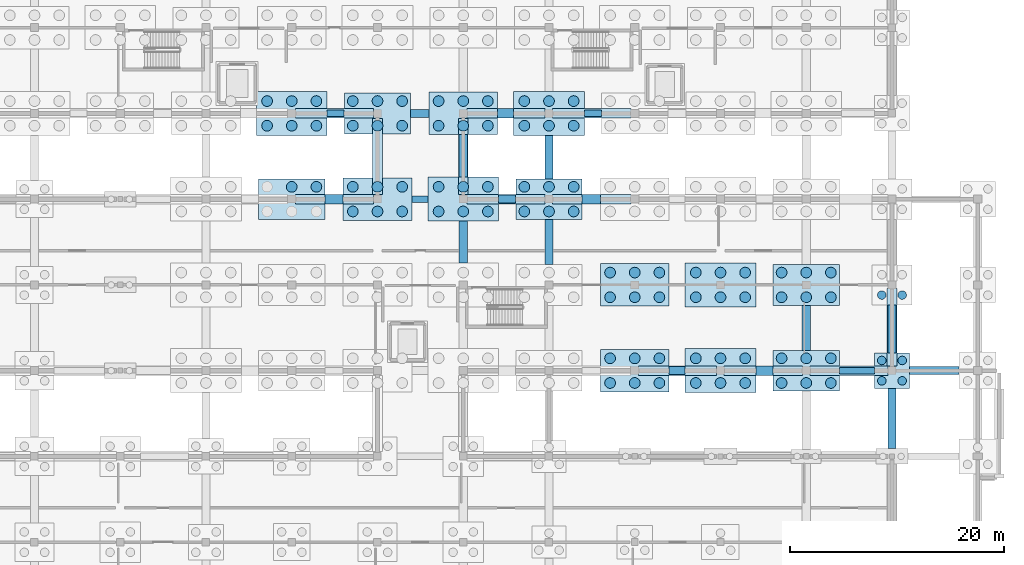
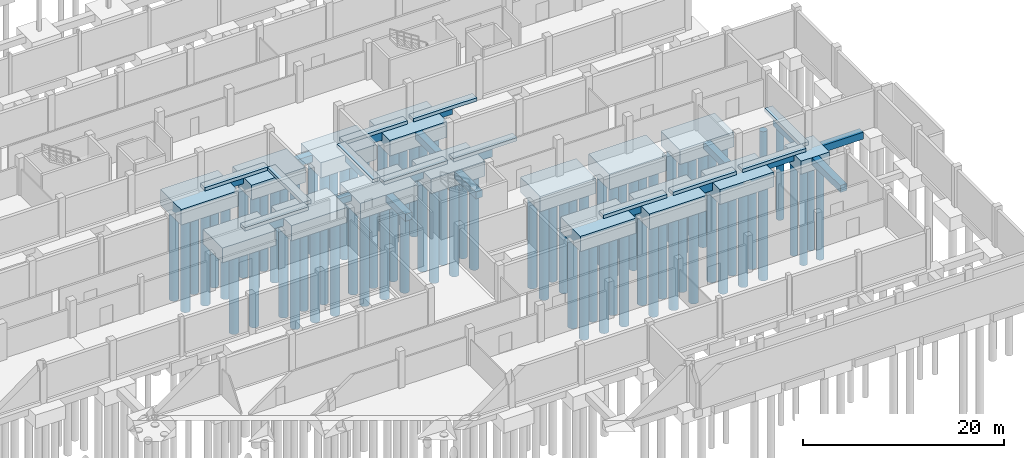
# One storey, part 13 of 51: 86 piles, 46 footings.
"""IFC4 building model written with IfcOpenShell, lengths in metres."""

import ifcopenshell
import ifcopenshell.guid

model = None  # the IFC model being written
_history = None  # IfcOwnerHistory: only IFC2X3 demands one
_inside = {}  # id of a spatial element -> (the spatial element, [elements in it])
_under = {}  # id of a project, library or spatial element -> (it, [spatial elements below it])
_declared = {}  # id of a project -> (the project, [libraries it declares])
_typed = {}  # id of a type object -> (the type object, [elements of that type])
_made_of = {}  # id of a material, layer set ... -> (it, [elements and type objects made of it])


def new_model(schema):
    """Start an empty IFC model of exactly this schema.

    Asked for "IFC4X3", IfcOpenShell would pick the latest addendum, in which some entities
    have other attributes; the version numbers below select the first issue.
    IFC2X3 requires an IfcOwnerHistory on every rooted entity: one is made here for all.
    """
    global model, _history
    if schema == "IFC4X3":
        model = ifcopenshell.file(schema_version=(4, 3, 0, 0))
    else:
        model = ifcopenshell.file(schema=schema)
    _inside.clear()
    _under.clear()
    _declared.clear()
    _typed.clear()
    _made_of.clear()
    _history = None
    if model.schema == "IFC2X3":
        org = make("IfcOrganization", Name="unknown")
        user = make(
            "IfcPersonAndOrganization",
            ThePerson=make("IfcPerson", FamilyName="unknown"),
            TheOrganization=org,
        )
        app = make(
            "IfcApplication",
            ApplicationDeveloper=org,
            Version="unknown",
            ApplicationFullName="unknown",
            ApplicationIdentifier="unknown",
        )
        _history = make(
            "IfcOwnerHistory",
            OwningUser=user,
            OwningApplication=app,
            ChangeAction="ADDED",
            CreationDate=0,
        )
    return model


def make(cls, **values):
    """One entity of the class cls with the attributes given. An attribute that is None is left unset."""
    return model.create_entity(
        cls, **{name: value for name, value in values.items() if value is not None}
    )


def rooted(cls, **values):
    """An entity with a GlobalId (a new one), such as an element, a storey or a relation."""
    return make(cls, GlobalId=ifcopenshell.guid.new(), OwnerHistory=_history, **values)


def si_unit(unit_type, name, prefix=None):
    """IfcSIUnit, for example si_unit("LENGTHUNIT", "METRE", prefix="MILLI")."""
    return make("IfcSIUnit", UnitType=unit_type, Prefix=prefix, Name=name)


def assignment(units):
    """IfcUnitAssignment: the units of a project."""
    return None if units is None else make("IfcUnitAssignment", Units=units)


def point(xyz):
    """IfcCartesianPoint."""
    return None if xyz is None else make("IfcCartesianPoint", Coordinates=xyz)


def direction(xyz):
    """IfcDirection."""
    return None if xyz is None else make("IfcDirection", DirectionRatios=xyz)


def frame(location, z_axis=None, x_axis=None):
    """IfcAxis2Placement3D, a coordinate frame: its origin and axes. An axis left out is left unset."""
    return make(
        "IfcAxis2Placement3D",
        Location=point(location),
        Axis=direction(z_axis),
        RefDirection=direction(x_axis),
    )


def frame_2d(location, x_axis=None):
    """IfcAxis2Placement2D, a coordinate frame in the plane: its origin and x axis."""
    return make(
        "IfcAxis2Placement2D", Location=point(location), RefDirection=direction(x_axis)
    )


def origin():
    """The frame at (0, 0, 0) with its axes left unset."""
    return frame((0.0, 0.0, 0.0))


def origin_2d():
    """The frame at (0, 0) in the plane with its x axis left unset."""
    return frame_2d((0.0, 0.0))


def place(relative_to, where):
    """IfcLocalPlacement: puts the frame where relative to a parent placement (None: the world)."""
    return make(
        "IfcLocalPlacement", PlacementRelTo=relative_to, RelativePlacement=where
    )


def context(
    kind, dimensions, precision=None, world=None, true_north=None, identifier=None
):
    """IfcGeometricRepresentationContext, for example the 3D "Model" context."""
    return make(
        "IfcGeometricRepresentationContext",
        ContextIdentifier=identifier,
        ContextType=kind,
        CoordinateSpaceDimension=dimensions,
        Precision=precision,
        WorldCoordinateSystem=world,
        TrueNorth=true_north,
    )


def subcontext(parent, identifier, kind, view, scale=None):
    """IfcGeometricRepresentationSubContext, for example "Body" below "Model"."""
    return make(
        "IfcGeometricRepresentationSubContext",
        ContextIdentifier=identifier,
        ContextType=kind,
        ParentContext=parent,
        TargetScale=scale,
        TargetView=view,
    )


def project(units=None, contexts=None):
    """IfcProject with its units and contexts."""
    return rooted(
        "IfcProject",
        Name="project",
        RepresentationContexts=contexts,
        UnitsInContext=assignment(units),
    )


def spatial(cls, under=None, at=None, **own):
    """A site, building, storey or space (cls), placed at a placement, below another one or the project."""
    s = rooted(cls, ObjectPlacement=at, **own)
    if under is not None:
        _under.setdefault(under.id(), (under, []))[1].append(s)
    return s


def profile(cls, at=None, kind="AREA", **sizes):
    """A parametric profile (cls). Its sizes go by their IFC names, for example OverallWidth=200.0."""
    return make(cls, ProfileType=kind, Position=at, **sizes)


def rectangle(**sizes):
    """IfcRectangleProfileDef."""
    return profile("IfcRectangleProfileDef", **sizes)


def circle(**sizes):
    """IfcCircleProfileDef."""
    return profile("IfcCircleProfileDef", **sizes)


def extrude(swept, where, along, depth):
    """IfcExtrudedAreaSolid: the profile swept, set in the frame where, extruded along a direction by depth."""
    return make(
        "IfcExtrudedAreaSolid",
        SweptArea=swept,
        Position=where,
        ExtrudedDirection=direction(along),
        Depth=depth,
    )


def shape(context_of_items, identifier, shape_type, items):
    """IfcShapeRepresentation: the items that make up one representation, for example the "Body"."""
    return make(
        "IfcShapeRepresentation",
        ContextOfItems=context_of_items,
        RepresentationIdentifier=identifier,
        RepresentationType=shape_type,
        Items=items,
    )


def material(Name=None, Category=None):
    """IfcMaterial."""
    return make("IfcMaterial", Name=Name, Category=Category)


def material_profile(
    of_material, cross_section, Name=None, Category=None, Priority=None
):
    """IfcMaterialProfile: a cross section and its material."""
    return make(
        "IfcMaterialProfile",
        Name=Name,
        Material=of_material,
        Profile=cross_section,
        Priority=Priority,
        Category=Category,
    )


def profile_set(profiles, Name=None, composite=None):
    """IfcMaterialProfileSet."""
    return make(
        "IfcMaterialProfileSet",
        Name=Name,
        MaterialProfiles=profiles,
        CompositeProfile=composite,
    )


def made_of(thing, what):
    """Note that an element or type object is made of a material, layer set ...; save() writes the relation."""
    if what is not None:
        _made_of.setdefault(what.id(), (what, []))[1].append(thing)
    return thing


def type_object(cls, material=None, **own):
    """A type object (cls), such as IfcWallType, which elements share."""
    return made_of(rooted(cls, **own), material)


def element(
    cls,
    number,
    at=None,
    inside=None,
    cuts=None,
    type_object=None,
    material=None,
    context=None,
    identifier="Body",
    shape_type=None,
    held_by="IfcProductDefinitionShape",
    body=None,
    shapes=None,
    **own,
):
    """One element of the class cls, such as IfcWall. Its Tag is "e" and its number.

    at: its placement. inside: the storey or other place that contains it. cuts: it is an
    opening in that element (IfcRelVoidsElement). A single representation is given by context,
    identifier, shape_type and body (its items); several are given by shapes. held_by: the class
    of the entity that holds the representations. save() writes the other relations.
    """
    e = rooted(cls, Tag="e%d" % number, ObjectPlacement=at, **own)
    if body is not None:
        shapes = [shape(context, identifier, shape_type, body)]
    if shapes is not None:
        e.Representation = make(held_by, Representations=shapes)
    if inside is not None:
        _inside.setdefault(inside.id(), (inside, []))[1].append(e)
    if cuts is not None:
        rooted(
            "IfcRelVoidsElement", RelatingBuildingElement=cuts, RelatedOpeningElement=e
        )
    if type_object is not None:
        _typed.setdefault(type_object.id(), (type_object, []))[1].append(e)
    return made_of(e, material)


def aggregate(whole, parts):
    """IfcRelAggregates: a whole, such as a stair, and the parts it consists of."""
    return rooted("IfcRelAggregates", RelatingObject=whole, RelatedObjects=parts)


def save(model, path):
    """Write the relations noted so far, then the file.

    IfcRelAggregates (storeys below a building ...), IfcRelContainedInSpatialStructure (elements
    in a storey), IfcRelDefinesByType, IfcRelAssociatesMaterial and IfcRelDeclares: one each for
    every whole, place, type object, material and project.
    """
    for whole, parts in _under.values():
        aggregate(whole, parts)
    for where, things in _inside.values():
        rooted(
            "IfcRelContainedInSpatialStructure",
            RelatedElements=things,
            RelatingStructure=where,
        )
    for kind, things in _typed.values():
        rooted("IfcRelDefinesByType", RelatedObjects=things, RelatingType=kind)
    for what, things in _made_of.values():
        rooted("IfcRelAssociatesMaterial", RelatedObjects=things, RelatingMaterial=what)
    for by, libraries in _declared.values():
        rooted("IfcRelDeclares", RelatingContext=by, RelatedDefinitions=libraries)
    model.write(path)


model = new_model("IFC4")

# Units and contexts
model_context = context("Model", 3, precision=1e-05, world=origin(), true_north=direction((0.0, 1.0)))
body_context = subcontext(model_context, "Body", "Model", "MODEL_VIEW")
ifc_project = project(units=[si_unit("LENGTHUNIT", "METRE"), si_unit("AREAUNIT", "SQUARE_METRE"), si_unit("VOLUMEUNIT", "CUBIC_METRE"), si_unit("PLANEANGLEUNIT", "RADIAN"), si_unit("MASSUNIT", "GRAM", prefix="KILO")], contexts=[model_context])

# Site, building, storey
site_placement = place(None, origin())
site = spatial("IfcSite", under=ifc_project, at=site_placement, CompositionType="ELEMENT")
building_placement = place(site_placement, origin())
building = spatial("IfcBuilding", under=site, at=building_placement, Name="Jelvoka-Kovrelna Polytechnic", CompositionType="ELEMENT")
storey_placement = place(building_placement, frame((0.0, 0.0, -4.5)))
storey = spatial("IfcBuildingStorey", under=building, at=storey_placement, Name="B01", CompositionType="ELEMENT", Elevation=-4.5)

# Footings
ifc_material_1 = material(Name="Concrete C35/45", Category="concrete")
footing_type_1 = type_object("IfcFootingType", Name="Footing_PileCap_PC4A", PredefinedType="PILE_CAP", material=ifc_material_1)
footing_1_placement = place(storey_placement, frame((192.0, 32.0, -2.005126953125), z_axis=(0.0, 0.0, 1.0), x_axis=(1.0, 0.0, 0.0)))
element("IfcFooting", 1, at=footing_1_placement, inside=storey, type_object=footing_type_1, Name="Bored pile cap 100 (PC-4)", PredefinedType="PILE_CAP", context=body_context, shape_type="SweptSolid", body=[
    extrude(rectangle(XDim=3.300048828125, YDim=3.300048828125, at=origin_2d()), origin(), (0.0, 0.0, 1.0), 1.60009765625),
])
ifc_material_2 = material(Name="Concrete C35/45", Category="concrete")
footing_type_2 = type_object("IfcFootingType", Name="Footing_PileCap_PC6A", PredefinedType="PILE_CAP", material=ifc_material_2)
for number, where, z_axis, x_axis, name in (
    (2, (184.0, 32.0, -2.205078125), (0.0, 0.0, 1.0), (1.0, 0.0, 0.0), "Bored pile cap 099 (PC-6)"),
    (3, (184.0, 40.0, -2.205078125), (0.0, 0.0, 1.0), (1.0, 0.0, 0.0), "Bored pile cap 126 (PC-6)"),
    (4, (136.0, 48.0, -2.205078125), (0.0, 0.0, 1.0), (1.0, 0.0, 0.0), "Bored pile cap 144 (PC-6)"),
    (5, (160.0, 48.0, -2.205078125), (0.0, 0.0, 1.0), (1.0, 0.0, 0.0), "Bored pile cap 147 (PC-6)"),
    (6, (144.0, 56.0, -2.205078125), (0.0, 0.0, 1.0), (1.0, 0.0, 0.0), "Bored pile cap 174 (PC-6)"),
):
    element("IfcFooting", number, at=place(storey_placement, frame(where, z_axis=z_axis, x_axis=x_axis)), inside=storey, type_object=footing_type_2, Name=name, PredefinedType="PILE_CAP", context=body_context, shape_type="SweptSolid", body=[
        extrude(rectangle(XDim=6.199951171875, YDim=3.800048828125, at=origin_2d()), origin(), (0.0, 0.0, 1.0), 1.800048828125),
    ])
ifc_material_3 = material(Name="Concrete C35/45", Category="concrete")
footing_type_3 = type_object("IfcFootingType", Name="Footing_PileCap_PC6B", PredefinedType="PILE_CAP", material=ifc_material_3)
for number, where, z_axis, x_axis, name in (
    (7, (168.0, 32.0, -2.255126953125), (0.0, 0.0, 1.0), (1.0, 0.0, 0.0), "Bored pile cap 097 (PC-6)"),
    (8, (168.0, 40.0, -2.255126953125), (0.0, 0.0, 1.0), (1.0, 0.0, 0.0), "Bored pile cap 124 (PC-6)"),
    (9, (144.0, 48.0, -2.255126953125), (0.0, 0.0, 1.0), (1.0, 0.0, 0.0), "Bored pile cap 145 (PC-6)"),
    (10, (152.0, 56.0, -2.255126953125), (0.0, 0.0, 1.0), (1.0, 0.0, 0.0), "Bored pile cap 175 (PC-6)"),
):
    element("IfcFooting", number, at=place(storey_placement, frame(where, z_axis=z_axis, x_axis=x_axis)), inside=storey, type_object=footing_type_3, Name=name, PredefinedType="PILE_CAP", context=body_context, shape_type="SweptSolid", body=[
        extrude(rectangle(XDim=6.39990234375, YDim=3.949951171875, at=origin_2d()), origin(), (0.0, 0.0, 1.0), 1.85009765625),
    ])
ifc_material_4 = material(Name="Concrete C35/45", Category="concrete")
footing_type_4 = type_object("IfcFootingType", Name="Footing_PileCap_PC6C", PredefinedType="PILE_CAP", material=ifc_material_4)
for number, where, z_axis, x_axis, name in (
    (11, (176.0, 32.0, -2.304931640625), (0.0, 0.0, 1.0), (1.0, 0.0, 0.0), "Bored pile cap 098 (PC-6)"),
    (12, (176.0, 40.0, -2.304931640625), (0.0, 0.0, 1.0), (1.0, 0.0, 0.0), "Bored pile cap 125 (PC-6)"),
    (13, (152.0, 48.0, -2.304931640625), (0.0, 0.0, 1.0), (1.0, 0.0, 0.0), "Bored pile cap 146 (PC-6)"),
    (14, (136.0, 56.0, -2.304931640625), (0.0, 0.0, 1.0), (1.0, 0.0, 0.0), "Bored pile cap 173 (PC-6)"),
    (15, (160.0, 56.0, -2.304931640625), (0.0, 0.0, 1.0), (1.0, 0.0, 0.0), "Bored pile cap 176 (PC-6)"),
):
    element("IfcFooting", number, at=place(storey_placement, frame(where, z_axis=z_axis, x_axis=x_axis)), inside=storey, type_object=footing_type_4, Name=name, PredefinedType="PILE_CAP", context=body_context, shape_type="SweptSolid", body=[
        extrude(rectangle(XDim=6.60009765625, YDim=4.10009765625, at=origin_2d()), origin(), (0.0, 0.0, 1.0), 1.89990234375),
    ])
ifc_material_5 = material(Name="Concrete C35/45", Category="concrete")
footing_type_5 = type_object("IfcFootingType", Name="Footing_Strip_SF1", PredefinedType="STRIP_FOOTING", material=ifc_material_5)
footing_2_placement = place(storey_placement, frame((140.10009765625, 56.0, -1.155029296875), z_axis=(0.0, 0.0, 1.0), x_axis=(1.0, 0.0, 0.0)))
element("IfcFooting", 16, at=footing_2_placement, inside=storey, type_object=footing_type_5, Name="Strip foundation tie beam 177", PredefinedType="STRIP_FOOTING", context=body_context, shape_type="SweptSolid", body=[
    extrude(rectangle(XDim=1.595947265625, YDim=0.60009765625, at=origin_2d()), origin(), (0.0, 0.0, 1.0), 0.75),
])
footing_3_placement = place(storey_placement, frame((147.949951171875, 48.0, -1.155029296875), z_axis=(0.0, 0.0, 1.0), x_axis=(1.0, 0.0, 0.0)))
element("IfcFooting", 17, at=footing_3_placement, inside=storey, type_object=footing_type_5, Name="Strip foundation tie beam 185", PredefinedType="STRIP_FOOTING", context=body_context, shape_type="SweptSolid", body=[
    extrude(rectangle(XDim=1.49609375, YDim=0.60009765625, at=origin_2d()), origin(), (0.0, 0.0, 1.0), 0.75),
])
footing_4_placement = place(storey_placement, frame((164.10009765625, 56.0, -1.155029296875), z_axis=(0.0, 0.0, 1.0), x_axis=(1.0, 0.0, 0.0)))
element("IfcFooting", 18, at=footing_4_placement, inside=storey, type_object=footing_type_5, Name="Strip foundation tie beam 223", PredefinedType="STRIP_FOOTING", context=body_context, shape_type="SweptSolid", body=[
    extrude(rectangle(XDim=1.595947265625, YDim=0.60009765625, at=origin_2d()), origin(), (0.0, 0.0, 1.0), 0.75),
])
footing_5_placement = place(storey_placement, frame((188.72509765625, 32.0, -1.155029296875), z_axis=(0.0, 0.0, 1.0), x_axis=(1.0, 0.0, 0.0)))
element("IfcFooting", 19, at=footing_5_placement, inside=storey, type_object=footing_type_5, Name="Strip foundation tie beam 257", PredefinedType="STRIP_FOOTING", context=body_context, shape_type="SweptSolid", body=[
    extrude(rectangle(XDim=3.24609375, YDim=0.60009765625, at=origin_2d()), origin(), (0.0, 0.0, 1.0), 0.75),
])
ifc_material_6 = material(Name="Concrete C35/45", Category="concrete")
footing_type_6 = type_object("IfcFootingType", Name="Footing_Strip_SF2", PredefinedType="STRIP_FOOTING", material=ifc_material_6)
footing_6_placement = place(storey_placement, frame((147.949951171875, 56.0, -1.255126953125), z_axis=(0.0, 0.0, 1.0), x_axis=(1.0, 0.0, 0.0)))
element("IfcFooting", 20, at=footing_6_placement, inside=storey, type_object=footing_type_6, Name="Strip foundation tie beam 186", PredefinedType="STRIP_FOOTING", context=body_context, shape_type="SweptSolid", body=[
    extrude(rectangle(XDim=1.696044921875, YDim=0.75, at=origin_2d()), origin(), (0.0, 0.0, 1.0), 0.85009765625),
])
footing_7_placement = place(storey_placement, frame((152.0, 44.0, -1.255126953125), z_axis=(0.0, 0.0, 1.0), x_axis=(0.0, 1.0, 0.0)))
element("IfcFooting", 21, at=footing_7_placement, inside=storey, type_object=footing_type_6, Name="Strip foundation tie beam 199", PredefinedType="STRIP_FOOTING", context=body_context, shape_type="SweptSolid", body=[
    extrude(rectangle(XDim=3.89599609375, YDim=0.75, at=origin_2d()), origin(), (0.0, 0.0, 1.0), 0.85009765625),
])
footing_8_placement = place(storey_placement, frame((156.10009765625, 48.0, -1.255126953125), z_axis=(0.0, 0.0, 1.0), x_axis=(1.0, 0.0, 0.0)))
element("IfcFooting", 22, at=footing_8_placement, inside=storey, type_object=footing_type_6, Name="Strip foundation tie beam 200", PredefinedType="STRIP_FOOTING", context=body_context, shape_type="SweptSolid", body=[
    extrude(rectangle(XDim=1.595947265625, YDim=0.75, at=origin_2d()), origin(), (0.0, 0.0, 1.0), 0.85009765625),
])
footing_9_placement = place(storey_placement, frame((152.0, 52.03759765625, -1.255126953125), z_axis=(0.0, 0.0, 1.0), x_axis=(0.0, 1.0, 0.0)))
element("IfcFooting", 23, at=footing_9_placement, inside=storey, type_object=footing_type_6, Name="Strip foundation tie beam 201", PredefinedType="STRIP_FOOTING", context=body_context, shape_type="SweptSolid", body=[
    extrude(rectangle(XDim=3.970947265625, YDim=0.75, at=origin_2d()), origin(), (0.0, 0.0, 1.0), 0.85009765625),
])
footing_10_placement = place(storey_placement, frame((160.0, 44.0, -1.255126953125), z_axis=(0.0, 0.0, 1.0), x_axis=(0.0, 1.0, 0.0)))
element("IfcFooting", 24, at=footing_10_placement, inside=storey, type_object=footing_type_6, Name="Strip foundation tie beam 220", PredefinedType="STRIP_FOOTING", context=body_context, shape_type="SweptSolid", body=[
    extrude(rectangle(XDim=4.196044921875, YDim=0.75, at=origin_2d()), origin(), (0.0, 0.0, 1.0), 0.85009765625),
])
footing_11_placement = place(storey_placement, frame((160.0, 51.925048828125, -1.255126953125), z_axis=(0.0, 0.0, 1.0), x_axis=(0.0, 1.0, 0.0)))
element("IfcFooting", 25, at=footing_11_placement, inside=storey, type_object=footing_type_6, Name="Strip foundation tie beam 222", PredefinedType="STRIP_FOOTING", context=body_context, shape_type="SweptSolid", body=[
    extrude(rectangle(XDim=4.0458984375, YDim=0.75, at=origin_2d()), origin(), (0.0, 0.0, 1.0), 0.85009765625),
])
footing_12_placement = place(storey_placement, frame((171.949951171875, 32.0, -1.255126953125), z_axis=(0.0, 0.0, 1.0), x_axis=(1.0, 0.0, 0.0)))
element("IfcFooting", 26, at=footing_12_placement, inside=storey, type_object=footing_type_6, Name="Strip foundation tie beam 235", PredefinedType="STRIP_FOOTING", context=body_context, shape_type="SweptSolid", body=[
    extrude(rectangle(XDim=1.49609375, YDim=0.75, at=origin_2d()), origin(), (0.0, 0.0, 1.0), 0.85009765625),
])
footing_13_placement = place(storey_placement, frame((184.0, 36.0, -1.255126953125), z_axis=(0.0, 0.0, 1.0), x_axis=(0.0, 1.0, 0.0)))
element("IfcFooting", 27, at=footing_13_placement, inside=storey, type_object=footing_type_6, Name="Strip foundation tie beam 258", PredefinedType="STRIP_FOOTING", context=body_context, shape_type="SweptSolid", body=[
    extrude(rectangle(XDim=4.196044921875, YDim=0.75, at=origin_2d()), origin(), (0.0, 0.0, 1.0), 0.85009765625),
])
footing_14_placement = place(storey_placement, frame((192.0, 27.53759765625, -1.255126953125), z_axis=(0.0, 0.0, 1.0), x_axis=(0.0, 1.0, 0.0)))
element("IfcFooting", 28, at=footing_14_placement, inside=storey, type_object=footing_type_6, Name="Strip foundation tie beam 277", PredefinedType="STRIP_FOOTING", context=body_context, shape_type="SweptSolid", body=[
    extrude(rectangle(XDim=5.62109375, YDim=0.75, at=origin_2d()), origin(), (0.0, 0.0, 1.0), 0.85009765625),
])
footing_15_placement = place(storey_placement, frame((195.96240234375, 32.0, -1.255126953125), z_axis=(0.0, 0.0, 1.0), x_axis=(1.0, 0.0, 0.0)))
element("IfcFooting", 29, at=footing_15_placement, inside=storey, type_object=footing_type_6, Name="Strip foundation tie beam 278", PredefinedType="STRIP_FOOTING", context=body_context, shape_type="SweptSolid", body=[
    extrude(rectangle(XDim=4.62109375, YDim=0.75, at=origin_2d()), origin(), (0.0, 0.0, 1.0), 0.85009765625),
])
footing_16_placement = place(storey_placement, frame((192.0, 35.887451171875, -1.255126953125), z_axis=(0.0, 0.0, 1.0), x_axis=(0.0, 1.0, 0.0)))
element("IfcFooting", 30, at=footing_16_placement, inside=storey, type_object=footing_type_6, Name="Strip foundation tie beam 279", PredefinedType="STRIP_FOOTING", context=body_context, shape_type="SweptSolid", body=[
    extrude(rectangle(XDim=4.470947265625, YDim=0.75, at=origin_2d()), origin(), (0.0, 0.0, 1.0), 0.85009765625),
])
ifc_material_7 = material(Name="Concrete C35/45", Category="concrete")
footing_type_7 = type_object("IfcFootingType", Name="Footing_Strip_SF3", PredefinedType="STRIP_FOOTING", material=ifc_material_7)
footing_17_placement = place(storey_placement, frame((139.949951171875, 48.0, -1.35498046875), z_axis=(0.0, 0.0, 1.0), x_axis=(1.0, 0.0, 0.0)))
element("IfcFooting", 31, at=footing_17_placement, inside=storey, type_object=footing_type_7, Name="Strip foundation tie beam 176", PredefinedType="STRIP_FOOTING", context=body_context, shape_type="SweptSolid", body=[
    extrude(rectangle(XDim=1.696044921875, YDim=0.89990234375, at=origin_2d()), origin(), (0.0, 0.0, 1.0), 0.949951171875),
])
footing_18_placement = place(storey_placement, frame((155.949951171875, 56.0, -1.35498046875), z_axis=(0.0, 0.0, 1.0), x_axis=(1.0, 0.0, 0.0)))
element("IfcFooting", 32, at=footing_18_placement, inside=storey, type_object=footing_type_7, Name="Strip foundation tie beam 202", PredefinedType="STRIP_FOOTING", context=body_context, shape_type="SweptSolid", body=[
    extrude(rectangle(XDim=1.49609375, YDim=0.89990234375, at=origin_2d()), origin(), (0.0, 0.0, 1.0), 0.949951171875),
])
footing_19_placement = place(storey_placement, frame((163.949951171875, 48.0, -1.35498046875), z_axis=(0.0, 0.0, 1.0), x_axis=(1.0, 0.0, 0.0)))
element("IfcFooting", 33, at=footing_19_placement, inside=storey, type_object=footing_type_7, Name="Strip foundation tie beam 221", PredefinedType="STRIP_FOOTING", context=body_context, shape_type="SweptSolid", body=[
    extrude(rectangle(XDim=1.696044921875, YDim=0.89990234375, at=origin_2d()), origin(), (0.0, 0.0, 1.0), 0.949951171875),
])
footing_20_placement = place(storey_placement, frame((180.10009765625, 32.0, -1.35498046875), z_axis=(0.0, 0.0, 1.0), x_axis=(1.0, 0.0, 0.0)))
element("IfcFooting", 34, at=footing_20_placement, inside=storey, type_object=footing_type_7, Name="Strip foundation tie beam 244", PredefinedType="STRIP_FOOTING", context=body_context, shape_type="SweptSolid", body=[
    extrude(rectangle(XDim=1.595947265625, YDim=0.89990234375, at=origin_2d()), origin(), (0.0, 0.0, 1.0), 0.949951171875),
])
for number, where, z_axis, x_axis, name in (
    (35, (140.0, 48.0, -0.40478515625), (0.0, 0.0, 1.0), (1.0, 0.0, 0.0), "Strip foundation plinth beam B01W-056"),
    (36, (156.0, 48.0, -0.40478515625), (0.0, 0.0, 1.0), (1.0, 0.0, 0.0), "Strip foundation plinth beam B01W-058"),
    (37, (164.0, 48.0, -0.40478515625), (0.0, 0.0, 1.0), (1.0, 0.0, 0.0), "Strip foundation plinth beam B01W-060"),
    (38, (172.0, 32.0, -0.40478515625), (0.0, 0.0, 1.0), (1.0, 0.0, 0.0), "Strip foundation plinth beam B01W-061"),
    (39, (180.0, 32.0, -0.40478515625), (0.0, 0.0, 1.0), (1.0, 0.0, 0.0), "Strip foundation plinth beam B01W-063"),
    (40, (188.0, 32.0, -0.40478515625), (0.0, 0.0, 1.0), (1.0, 0.0, 0.0), "Strip foundation plinth beam B01W-065"),
):
    element("IfcFooting", number, at=place(storey_placement, frame(where, z_axis=z_axis, x_axis=x_axis)), inside=storey, type_object=footing_type_7, Name=name, PredefinedType="STRIP_FOOTING", context=body_context, shape_type="SweptSolid", body=[
        extrude(rectangle(XDim=7.300048828125, YDim=0.89990234375, at=origin_2d()), origin(), (0.0, 0.0, 1.0), 0.405029296875),
    ])
footing_21_placement = place(storey_placement, frame((192.0, 36.051025390625, -0.40478515625), z_axis=(0.0, 0.0, 1.0), x_axis=(0.0, 1.0, 0.0)))
element("IfcFooting", 41, at=footing_21_placement, inside=storey, type_object=footing_type_7, Name="Strip foundation plinth beam B01W-068", PredefinedType="STRIP_FOOTING", context=body_context, shape_type="SweptSolid", body=[
    extrude(rectangle(XDim=7.197998046875, YDim=0.89990234375, at=origin_2d()), origin(), (0.0, 0.0, 1.0), 0.405029296875),
])
for number, where, z_axis, x_axis, name in (
    (42, (140.0, 56.0, -0.40478515625), (0.0, 0.0, 1.0), (1.0, 0.0, 0.0), "Strip foundation plinth beam B01W-090"),
    (43, (156.0, 56.0, -0.40478515625), (0.0, 0.0, 1.0), (1.0, 0.0, 0.0), "Strip foundation plinth beam B01W-093"),
    (44, (164.0, 56.0, -0.40478515625), (0.0, 0.0, 1.0), (1.0, 0.0, 0.0), "Strip foundation plinth beam B01W-095"),
):
    element("IfcFooting", number, at=place(storey_placement, frame(where, z_axis=z_axis, x_axis=x_axis)), inside=storey, type_object=footing_type_7, Name=name, PredefinedType="STRIP_FOOTING", context=body_context, shape_type="SweptSolid", body=[
        extrude(rectangle(XDim=7.300048828125, YDim=0.89990234375, at=origin_2d()), origin(), (0.0, 0.0, 1.0), 0.405029296875),
    ])
for number, where, z_axis, x_axis, name in (
    (45, (144.0, 52.0, -0.40478515625), (0.0, 0.0, 1.0), (0.0, 1.0, 0.0), "Strip foundation plinth beam B01W-112"),
    (46, (152.0, 52.0, -0.40478515625), (0.0, 0.0, 1.0), (0.0, 1.0, 0.0), "Strip foundation plinth beam B01W-114"),
):
    element("IfcFooting", number, at=place(storey_placement, frame(where, z_axis=z_axis, x_axis=x_axis)), inside=storey, type_object=footing_type_7, Name=name, PredefinedType="STRIP_FOOTING", context=body_context, shape_type="SweptSolid", body=[
        extrude(rectangle(XDim=7.095947265625, YDim=0.89990234375, at=origin_2d()), origin(), (0.0, 0.0, 1.0), 0.405029296875),
    ])

# Piles
ifc_material_8 = material(Name="Concrete C35/45", Category="concrete")
ifc_material_profile_1 = material_profile(ifc_material_8, circle(Radius=0.5, at=origin_2d()), Name="PILE D1000")
ifc_profile_set_1 = profile_set([ifc_material_profile_1], Name="Concrete C35/45")
pile_type_1 = type_object("IfcPileType", Name="Pile_Bored_1000", PredefinedType="BORED", material=ifc_profile_set_1)
for number, where, z_axis, x_axis, name in (
    (47, (165.699951171875, 30.85009765625, -2.155029296875), (0.0, 0.0, -1.0), (1.0, 0.0, 0.0), "Bored concrete pile 097-1"),
    (48, (168.0, 30.85009765625, -2.155029296875), (0.0, 0.0, -1.0), (1.0, 0.0, 0.0), "Bored concrete pile 097-2"),
    (49, (170.300048828125, 30.85009765625, -2.155029296875), (0.0, 0.0, -1.0), (1.0, 0.0, 0.0), "Bored concrete pile 097-3"),
    (50, (165.699951171875, 33.14990234375, -2.155029296875), (0.0, 0.0, -1.0), (1.0, 0.0, 0.0), "Bored concrete pile 097-4"),
    (51, (168.0, 33.14990234375, -2.155029296875), (0.0, 0.0, -1.0), (1.0, 0.0, 0.0), "Bored concrete pile 097-5"),
    (52, (170.300048828125, 33.14990234375, -2.155029296875), (0.0, 0.0, -1.0), (1.0, 0.0, 0.0), "Bored concrete pile 097-6"),
):
    element("IfcPile", number, at=place(storey_placement, frame(where, z_axis=z_axis, x_axis=x_axis)), inside=storey, type_object=pile_type_1, Name=name, PredefinedType="BORED", context=body_context, shape_type="SweptSolid", body=[
        extrude(circle(Radius=0.5, at=origin_2d()), origin(), (0.0, 0.0, 1.0), 11.344970703125),
    ])
for number, where, z_axis, x_axis, name in (
    (53, (173.699951171875, 30.85009765625, -2.205078125), (0.0, 0.0, -1.0), (1.0, 0.0, 0.0), "Bored concrete pile 098-1"),
    (54, (176.0, 30.85009765625, -2.205078125), (0.0, 0.0, -1.0), (1.0, 0.0, 0.0), "Bored concrete pile 098-2"),
    (55, (178.300048828125, 30.85009765625, -2.205078125), (0.0, 0.0, -1.0), (1.0, 0.0, 0.0), "Bored concrete pile 098-3"),
    (56, (173.699951171875, 33.14990234375, -2.205078125), (0.0, 0.0, -1.0), (1.0, 0.0, 0.0), "Bored concrete pile 098-4"),
    (57, (176.0, 33.14990234375, -2.205078125), (0.0, 0.0, -1.0), (1.0, 0.0, 0.0), "Bored concrete pile 098-5"),
    (58, (178.300048828125, 33.14990234375, -2.205078125), (0.0, 0.0, -1.0), (1.0, 0.0, 0.0), "Bored concrete pile 098-6"),
):
    element("IfcPile", number, at=place(storey_placement, frame(where, z_axis=z_axis, x_axis=x_axis)), inside=storey, type_object=pile_type_1, Name=name, PredefinedType="BORED", context=body_context, shape_type="SweptSolid", body=[
        extrude(circle(Radius=0.5, at=origin_2d()), origin(), (0.0, 0.0, 1.0), 11.294921875),
    ])
for number, where, z_axis, x_axis, name in (
    (59, (181.699951171875, 30.85009765625, -2.10498046875), (0.0, 0.0, -1.0), (1.0, 0.0, 0.0), "Bored concrete pile 099-1"),
    (60, (184.0, 30.85009765625, -2.10498046875), (0.0, 0.0, -1.0), (1.0, 0.0, 0.0), "Bored concrete pile 099-2"),
    (61, (186.300048828125, 30.85009765625, -2.10498046875), (0.0, 0.0, -1.0), (1.0, 0.0, 0.0), "Bored concrete pile 099-3"),
    (62, (181.699951171875, 33.14990234375, -2.10498046875), (0.0, 0.0, -1.0), (1.0, 0.0, 0.0), "Bored concrete pile 099-4"),
    (63, (184.0, 33.14990234375, -2.10498046875), (0.0, 0.0, -1.0), (1.0, 0.0, 0.0), "Bored concrete pile 099-5"),
    (64, (186.300048828125, 33.14990234375, -2.10498046875), (0.0, 0.0, -1.0), (1.0, 0.0, 0.0), "Bored concrete pile 099-6"),
):
    element("IfcPile", number, at=place(storey_placement, frame(where, z_axis=z_axis, x_axis=x_axis)), inside=storey, type_object=pile_type_1, Name=name, PredefinedType="BORED", context=body_context, shape_type="SweptSolid", body=[
        extrude(circle(Radius=0.5, at=origin_2d()), origin(), (0.0, 0.0, 1.0), 11.39501953125),
    ])
for number, where, z_axis, x_axis, name in (
    (65, (165.699951171875, 38.85009765625, -2.155029296875), (0.0, 0.0, -1.0), (1.0, 0.0, 0.0), "Bored concrete pile 124-1"),
    (66, (168.0, 38.85009765625, -2.155029296875), (0.0, 0.0, -1.0), (1.0, 0.0, 0.0), "Bored concrete pile 124-2"),
    (67, (170.300048828125, 38.85009765625, -2.155029296875), (0.0, 0.0, -1.0), (1.0, 0.0, 0.0), "Bored concrete pile 124-3"),
    (68, (165.699951171875, 41.14990234375, -2.155029296875), (0.0, 0.0, -1.0), (1.0, 0.0, 0.0), "Bored concrete pile 124-4"),
    (69, (168.0, 41.14990234375, -2.155029296875), (0.0, 0.0, -1.0), (1.0, 0.0, 0.0), "Bored concrete pile 124-5"),
    (70, (170.300048828125, 41.14990234375, -2.155029296875), (0.0, 0.0, -1.0), (1.0, 0.0, 0.0), "Bored concrete pile 124-6"),
):
    element("IfcPile", number, at=place(storey_placement, frame(where, z_axis=z_axis, x_axis=x_axis)), inside=storey, type_object=pile_type_1, Name=name, PredefinedType="BORED", context=body_context, shape_type="SweptSolid", body=[
        extrude(circle(Radius=0.5, at=origin_2d()), origin(), (0.0, 0.0, 1.0), 11.344970703125),
    ])
for number, where, z_axis, x_axis, name in (
    (71, (173.699951171875, 38.85009765625, -2.205078125), (0.0, 0.0, -1.0), (1.0, 0.0, 0.0), "Bored concrete pile 125-1"),
    (72, (176.0, 38.85009765625, -2.205078125), (0.0, 0.0, -1.0), (1.0, 0.0, 0.0), "Bored concrete pile 125-2"),
    (73, (178.300048828125, 38.85009765625, -2.205078125), (0.0, 0.0, -1.0), (1.0, 0.0, 0.0), "Bored concrete pile 125-3"),
    (74, (173.699951171875, 41.14990234375, -2.205078125), (0.0, 0.0, -1.0), (1.0, 0.0, 0.0), "Bored concrete pile 125-4"),
    (75, (176.0, 41.14990234375, -2.205078125), (0.0, 0.0, -1.0), (1.0, 0.0, 0.0), "Bored concrete pile 125-5"),
    (76, (178.300048828125, 41.14990234375, -2.205078125), (0.0, 0.0, -1.0), (1.0, 0.0, 0.0), "Bored concrete pile 125-6"),
):
    element("IfcPile", number, at=place(storey_placement, frame(where, z_axis=z_axis, x_axis=x_axis)), inside=storey, type_object=pile_type_1, Name=name, PredefinedType="BORED", context=body_context, shape_type="SweptSolid", body=[
        extrude(circle(Radius=0.5, at=origin_2d()), origin(), (0.0, 0.0, 1.0), 11.294921875),
    ])
for number, where, z_axis, x_axis, name in (
    (77, (181.699951171875, 38.85009765625, -2.10498046875), (0.0, 0.0, -1.0), (1.0, 0.0, 0.0), "Bored concrete pile 126-1"),
    (78, (184.0, 38.85009765625, -2.10498046875), (0.0, 0.0, -1.0), (1.0, 0.0, 0.0), "Bored concrete pile 126-2"),
    (79, (186.300048828125, 38.85009765625, -2.10498046875), (0.0, 0.0, -1.0), (1.0, 0.0, 0.0), "Bored concrete pile 126-3"),
    (80, (181.699951171875, 41.14990234375, -2.10498046875), (0.0, 0.0, -1.0), (1.0, 0.0, 0.0), "Bored concrete pile 126-4"),
    (81, (184.0, 41.14990234375, -2.10498046875), (0.0, 0.0, -1.0), (1.0, 0.0, 0.0), "Bored concrete pile 126-5"),
    (82, (186.300048828125, 41.14990234375, -2.10498046875), (0.0, 0.0, -1.0), (1.0, 0.0, 0.0), "Bored concrete pile 126-6"),
    (83, (136.0, 49.14990234375, -2.10498046875), (0.0, 0.0, -1.0), (1.0, 0.0, 0.0), "Bored concrete pile 144-5"),
    (84, (138.300048828125, 49.14990234375, -2.10498046875), (0.0, 0.0, -1.0), (1.0, 0.0, 0.0), "Bored concrete pile 144-6"),
):
    element("IfcPile", number, at=place(storey_placement, frame(where, z_axis=z_axis, x_axis=x_axis)), inside=storey, type_object=pile_type_1, Name=name, PredefinedType="BORED", context=body_context, shape_type="SweptSolid", body=[
        extrude(circle(Radius=0.5, at=origin_2d()), origin(), (0.0, 0.0, 1.0), 11.39501953125),
    ])
for number, where, z_axis, x_axis, name in (
    (85, (141.699951171875, 46.85009765625, -2.155029296875), (0.0, 0.0, -1.0), (1.0, 0.0, 0.0), "Bored concrete pile 145-1"),
    (86, (144.0, 46.85009765625, -2.155029296875), (0.0, 0.0, -1.0), (1.0, 0.0, 0.0), "Bored concrete pile 145-2"),
    (87, (146.300048828125, 46.85009765625, -2.155029296875), (0.0, 0.0, -1.0), (1.0, 0.0, 0.0), "Bored concrete pile 145-3"),
    (88, (141.699951171875, 49.14990234375, -2.155029296875), (0.0, 0.0, -1.0), (1.0, 0.0, 0.0), "Bored concrete pile 145-4"),
    (89, (144.0, 49.14990234375, -2.155029296875), (0.0, 0.0, -1.0), (1.0, 0.0, 0.0), "Bored concrete pile 145-5"),
    (90, (146.300048828125, 49.14990234375, -2.155029296875), (0.0, 0.0, -1.0), (1.0, 0.0, 0.0), "Bored concrete pile 145-6"),
):
    element("IfcPile", number, at=place(storey_placement, frame(where, z_axis=z_axis, x_axis=x_axis)), inside=storey, type_object=pile_type_1, Name=name, PredefinedType="BORED", context=body_context, shape_type="SweptSolid", body=[
        extrude(circle(Radius=0.5, at=origin_2d()), origin(), (0.0, 0.0, 1.0), 11.344970703125),
    ])
for number, where, z_axis, x_axis, name in (
    (91, (149.699951171875, 46.85009765625, -2.205078125), (0.0, 0.0, -1.0), (1.0, 0.0, 0.0), "Bored concrete pile 146-1"),
    (92, (152.0, 46.85009765625, -2.205078125), (0.0, 0.0, -1.0), (1.0, 0.0, 0.0), "Bored concrete pile 146-2"),
    (93, (154.300048828125, 46.85009765625, -2.205078125), (0.0, 0.0, -1.0), (1.0, 0.0, 0.0), "Bored concrete pile 146-3"),
    (94, (149.699951171875, 49.14990234375, -2.205078125), (0.0, 0.0, -1.0), (1.0, 0.0, 0.0), "Bored concrete pile 146-4"),
    (95, (152.0, 49.14990234375, -2.205078125), (0.0, 0.0, -1.0), (1.0, 0.0, 0.0), "Bored concrete pile 146-5"),
    (96, (154.300048828125, 49.14990234375, -2.205078125), (0.0, 0.0, -1.0), (1.0, 0.0, 0.0), "Bored concrete pile 146-6"),
):
    element("IfcPile", number, at=place(storey_placement, frame(where, z_axis=z_axis, x_axis=x_axis)), inside=storey, type_object=pile_type_1, Name=name, PredefinedType="BORED", context=body_context, shape_type="SweptSolid", body=[
        extrude(circle(Radius=0.5, at=origin_2d()), origin(), (0.0, 0.0, 1.0), 11.294921875),
    ])
for number, where, z_axis, x_axis, name in (
    (97, (157.699951171875, 46.85009765625, -2.10498046875), (0.0, 0.0, -1.0), (1.0, 0.0, 0.0), "Bored concrete pile 147-1"),
    (98, (160.0, 46.85009765625, -2.10498046875), (0.0, 0.0, -1.0), (1.0, 0.0, 0.0), "Bored concrete pile 147-2"),
    (99, (162.300048828125, 46.85009765625, -2.10498046875), (0.0, 0.0, -1.0), (1.0, 0.0, 0.0), "Bored concrete pile 147-3"),
    (100, (157.699951171875, 49.14990234375, -2.10498046875), (0.0, 0.0, -1.0), (1.0, 0.0, 0.0), "Bored concrete pile 147-4"),
    (101, (160.0, 49.14990234375, -2.10498046875), (0.0, 0.0, -1.0), (1.0, 0.0, 0.0), "Bored concrete pile 147-5"),
    (102, (162.300048828125, 49.14990234375, -2.10498046875), (0.0, 0.0, -1.0), (1.0, 0.0, 0.0), "Bored concrete pile 147-6"),
):
    element("IfcPile", number, at=place(storey_placement, frame(where, z_axis=z_axis, x_axis=x_axis)), inside=storey, type_object=pile_type_1, Name=name, PredefinedType="BORED", context=body_context, shape_type="SweptSolid", body=[
        extrude(circle(Radius=0.5, at=origin_2d()), origin(), (0.0, 0.0, 1.0), 11.39501953125),
    ])
for number, where, z_axis, x_axis, name in (
    (103, (133.699951171875, 54.85009765625, -2.205078125), (0.0, 0.0, -1.0), (1.0, 0.0, 0.0), "Bored concrete pile 173-1"),
    (104, (136.0, 54.85009765625, -2.205078125), (0.0, 0.0, -1.0), (1.0, 0.0, 0.0), "Bored concrete pile 173-2"),
    (105, (138.300048828125, 54.85009765625, -2.205078125), (0.0, 0.0, -1.0), (1.0, 0.0, 0.0), "Bored concrete pile 173-3"),
    (106, (133.699951171875, 57.14990234375, -2.205078125), (0.0, 0.0, -1.0), (1.0, 0.0, 0.0), "Bored concrete pile 173-4"),
    (107, (136.0, 57.14990234375, -2.205078125), (0.0, 0.0, -1.0), (1.0, 0.0, 0.0), "Bored concrete pile 173-5"),
    (108, (138.300048828125, 57.14990234375, -2.205078125), (0.0, 0.0, -1.0), (1.0, 0.0, 0.0), "Bored concrete pile 173-6"),
):
    element("IfcPile", number, at=place(storey_placement, frame(where, z_axis=z_axis, x_axis=x_axis)), inside=storey, type_object=pile_type_1, Name=name, PredefinedType="BORED", context=body_context, shape_type="SweptSolid", body=[
        extrude(circle(Radius=0.5, at=origin_2d()), origin(), (0.0, 0.0, 1.0), 11.294921875),
    ])
for number, where, z_axis, x_axis, name in (
    (109, (141.699951171875, 54.85009765625, -2.10498046875), (0.0, 0.0, -1.0), (1.0, 0.0, 0.0), "Bored concrete pile 174-1"),
    (110, (144.0, 54.85009765625, -2.10498046875), (0.0, 0.0, -1.0), (1.0, 0.0, 0.0), "Bored concrete pile 174-2"),
    (111, (146.300048828125, 54.85009765625, -2.10498046875), (0.0, 0.0, -1.0), (1.0, 0.0, 0.0), "Bored concrete pile 174-3"),
    (112, (141.699951171875, 57.14990234375, -2.10498046875), (0.0, 0.0, -1.0), (1.0, 0.0, 0.0), "Bored concrete pile 174-4"),
    (113, (144.0, 57.14990234375, -2.10498046875), (0.0, 0.0, -1.0), (1.0, 0.0, 0.0), "Bored concrete pile 174-5"),
    (114, (146.300048828125, 57.14990234375, -2.10498046875), (0.0, 0.0, -1.0), (1.0, 0.0, 0.0), "Bored concrete pile 174-6"),
):
    element("IfcPile", number, at=place(storey_placement, frame(where, z_axis=z_axis, x_axis=x_axis)), inside=storey, type_object=pile_type_1, Name=name, PredefinedType="BORED", context=body_context, shape_type="SweptSolid", body=[
        extrude(circle(Radius=0.5, at=origin_2d()), origin(), (0.0, 0.0, 1.0), 11.39501953125),
    ])
for number, where, z_axis, x_axis, name in (
    (115, (149.699951171875, 54.85009765625, -2.155029296875), (0.0, 0.0, -1.0), (1.0, 0.0, 0.0), "Bored concrete pile 175-1"),
    (116, (152.0, 54.85009765625, -2.155029296875), (0.0, 0.0, -1.0), (1.0, 0.0, 0.0), "Bored concrete pile 175-2"),
    (117, (154.300048828125, 54.85009765625, -2.155029296875), (0.0, 0.0, -1.0), (1.0, 0.0, 0.0), "Bored concrete pile 175-3"),
    (118, (149.699951171875, 57.14990234375, -2.155029296875), (0.0, 0.0, -1.0), (1.0, 0.0, 0.0), "Bored concrete pile 175-4"),
    (119, (152.0, 57.14990234375, -2.155029296875), (0.0, 0.0, -1.0), (1.0, 0.0, 0.0), "Bored concrete pile 175-5"),
    (120, (154.300048828125, 57.14990234375, -2.155029296875), (0.0, 0.0, -1.0), (1.0, 0.0, 0.0), "Bored concrete pile 175-6"),
):
    element("IfcPile", number, at=place(storey_placement, frame(where, z_axis=z_axis, x_axis=x_axis)), inside=storey, type_object=pile_type_1, Name=name, PredefinedType="BORED", context=body_context, shape_type="SweptSolid", body=[
        extrude(circle(Radius=0.5, at=origin_2d()), origin(), (0.0, 0.0, 1.0), 11.344970703125),
    ])
for number, where, z_axis, x_axis, name in (
    (121, (157.699951171875, 54.85009765625, -2.205078125), (0.0, 0.0, -1.0), (1.0, 0.0, 0.0), "Bored concrete pile 176-1"),
    (122, (160.0, 54.85009765625, -2.205078125), (0.0, 0.0, -1.0), (1.0, 0.0, 0.0), "Bored concrete pile 176-2"),
    (123, (162.300048828125, 54.85009765625, -2.205078125), (0.0, 0.0, -1.0), (1.0, 0.0, 0.0), "Bored concrete pile 176-3"),
    (124, (157.699951171875, 57.14990234375, -2.205078125), (0.0, 0.0, -1.0), (1.0, 0.0, 0.0), "Bored concrete pile 176-4"),
    (125, (160.0, 57.14990234375, -2.205078125), (0.0, 0.0, -1.0), (1.0, 0.0, 0.0), "Bored concrete pile 176-5"),
    (126, (162.300048828125, 57.14990234375, -2.205078125), (0.0, 0.0, -1.0), (1.0, 0.0, 0.0), "Bored concrete pile 176-6"),
):
    element("IfcPile", number, at=place(storey_placement, frame(where, z_axis=z_axis, x_axis=x_axis)), inside=storey, type_object=pile_type_1, Name=name, PredefinedType="BORED", context=body_context, shape_type="SweptSolid", body=[
        extrude(circle(Radius=0.5, at=origin_2d()), origin(), (0.0, 0.0, 1.0), 11.294921875),
    ])
ifc_material_9 = material(Name="Concrete C35/45", Category="concrete")
ifc_material_profile_2 = material_profile(ifc_material_9, circle(Radius=0.39990234375, at=origin_2d()), Name="PILE D800")
ifc_profile_set_2 = profile_set([ifc_material_profile_2], Name="Concrete C35/45")
pile_type_2 = type_object("IfcPileType", Name="Pile_Bored_800", PredefinedType="BORED", material=ifc_profile_set_2)
for number, where, z_axis, x_axis, name in (
    (127, (191.050048828125, 31.050048828125, -1.905029296875), (0.0, 0.0, -1.0), (1.0, 0.0, 0.0), "Bored concrete pile 100-1"),
    (128, (192.949951171875, 31.050048828125, -1.905029296875), (0.0, 0.0, -1.0), (1.0, 0.0, 0.0), "Bored concrete pile 100-2"),
    (129, (191.050048828125, 32.949951171875, -1.905029296875), (0.0, 0.0, -1.0), (1.0, 0.0, 0.0), "Bored concrete pile 100-3"),
    (130, (192.949951171875, 32.949951171875, -1.905029296875), (0.0, 0.0, -1.0), (1.0, 0.0, 0.0), "Bored concrete pile 100-4"),
):
    element("IfcPile", number, at=place(storey_placement, frame(where, z_axis=z_axis, x_axis=x_axis)), inside=storey, type_object=pile_type_2, Name=name, PredefinedType="BORED", context=body_context, shape_type="SweptSolid", body=[
        extrude(circle(Radius=0.39990234375, at=origin_2d()), origin(), (0.0, 0.0, 1.0), 11.594970703125),
    ])
for number, where, z_axis, x_axis, name in (
    (131, (191.050048828125, 39.050048828125, -2.054931640625), (0.0, 0.0, -1.0), (1.0, 0.0, 0.0), "Bored concrete pile 127-1"),
    (132, (192.949951171875, 39.050048828125, -2.054931640625), (0.0, 0.0, -1.0), (1.0, 0.0, 0.0), "Bored concrete pile 127-2"),
):
    element("IfcPile", number, at=place(storey_placement, frame(where, z_axis=z_axis, x_axis=x_axis)), inside=storey, type_object=pile_type_2, Name=name, PredefinedType="BORED", context=body_context, shape_type="SweptSolid", body=[
        extrude(circle(Radius=0.39990234375, at=origin_2d()), origin(), (0.0, 0.0, 1.0), 11.445068359375),
    ])

save(model, "model.ifc")
